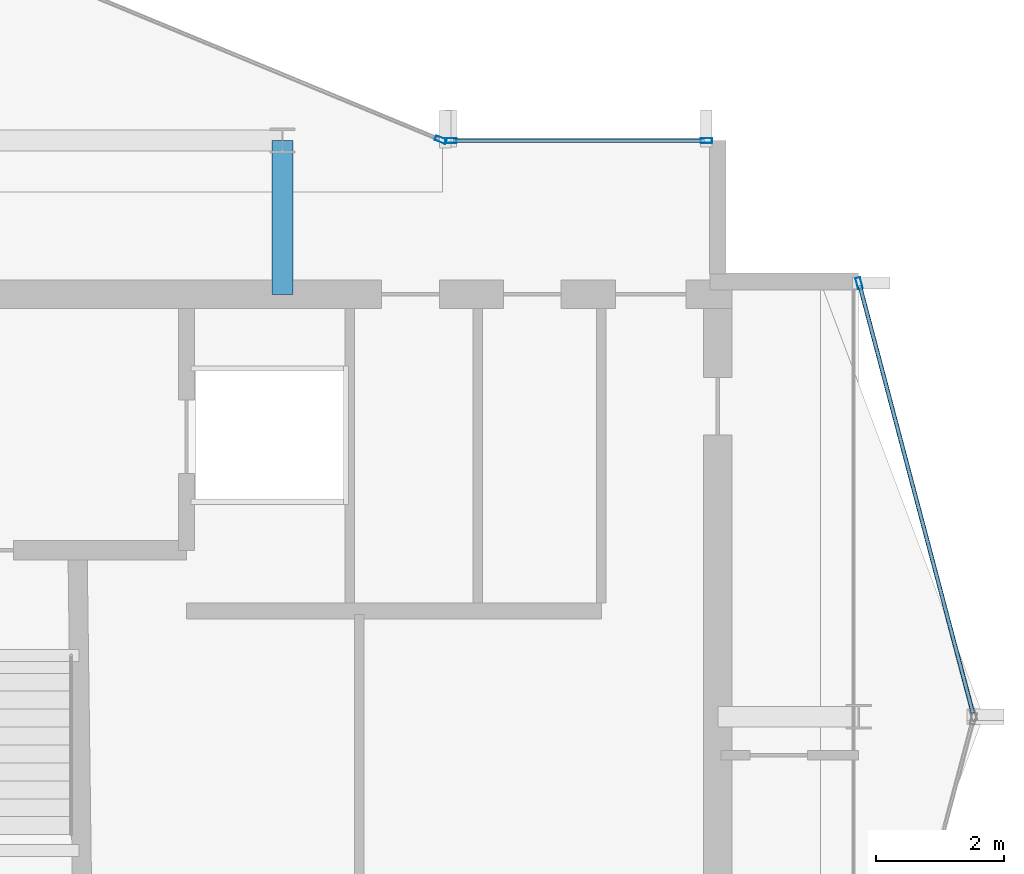
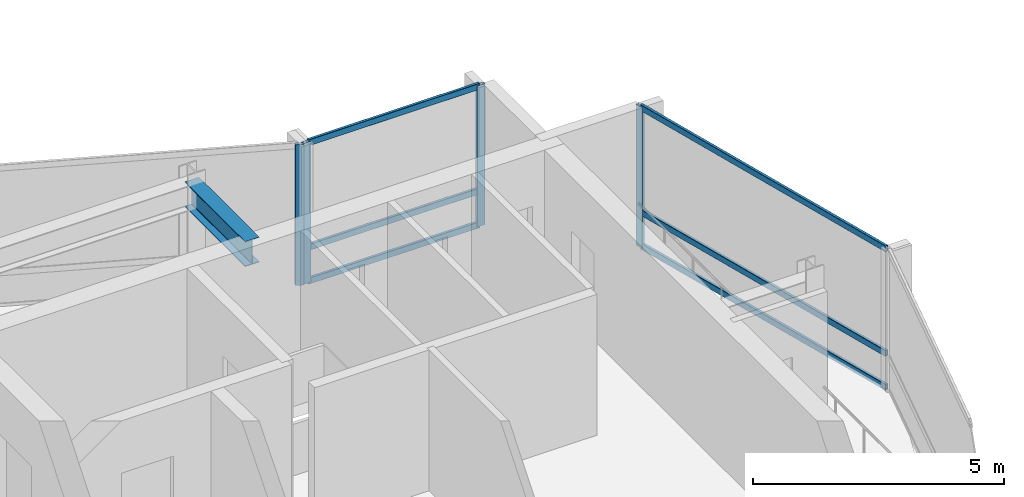
# One storey, part 10 of 19: 10 members, 1 beam, 3 elements without a shape of their own.
"""IFC4 building model written with IfcOpenShell, lengths in metres."""

from ifc_helpers import new_model, si_unit, direction, frame, origin, origin_2d, place, context, subcontext, project, spatial, hollow_rectangle, i_section, extrude, material, layer, layer_set, material_profile, profile_set, type_object, element, aggregate, save


model = new_model("IFC4")

# Units and contexts
model_context = context("Model", 3, precision=1e-05, world=origin(), true_north=direction((0.0, 1.0)))
body_context = subcontext(model_context, "Body", "Model", "MODEL_VIEW")
ifc_project = project(units=[si_unit("LENGTHUNIT", "METRE"), si_unit("AREAUNIT", "SQUARE_METRE"), si_unit("VOLUMEUNIT", "CUBIC_METRE"), si_unit("PLANEANGLEUNIT", "RADIAN"), si_unit("MASSUNIT", "GRAM", prefix="KILO")], contexts=[model_context])

# Site, building, storey
site_placement = place(None, origin())
site = spatial("IfcSite", under=ifc_project, at=site_placement, CompositionType="ELEMENT")
building_placement = place(site_placement, origin())
building = spatial("IfcBuilding", under=site, at=building_placement, Name="Solvaryn Broadcast Tower", CompositionType="ELEMENT")
storey_placement = place(building_placement, frame((0.0, 0.0, 248.199951171875)))
storey = spatial("IfcBuildingStorey", under=building, at=storey_placement, Name="L62", CompositionType="ELEMENT", Elevation=248.199951171875)

# Beam
ifc_material_1 = material(Name="Steel ASTM A992 Grade 50", Category="steel")
ifc_material_profile_1 = material_profile(ifc_material_1, i_section(OverallWidth=0.323974609375, OverallDepth=0.611083984375, WebThickness=0.0126953125, FlangeThickness=0.01904296875, FilletRadius=0.014892578125, at=origin_2d()))
ifc_profile_set_1 = profile_set([ifc_material_profile_1], Name="Steel ASTM A992 Grade 50")
beam_type = type_object("IfcBeamType", Name="BM-B1-W24X104", PredefinedType="BEAM", material=ifc_profile_set_1)
beam_placement = place(storey_placement, frame((36.0, 24.60009765625, 3.114501953125), z_axis=(0.0, 1.0, 0.0), x_axis=(-1.0, 0.0, 0.0)))
element("IfcBeam", 1, at=beam_placement, inside=storey, type_object=beam_type, Name="L62 Core Tie Beam CTE2", PredefinedType="BEAM", context=body_context, shape_type="SweptSolid", body=[
    extrude(i_section(OverallWidth=0.323974609375, OverallDepth=0.611083984375, WebThickness=0.0126953125, FlangeThickness=0.01904296875, FilletRadius=0.014892578125, at=origin_2d()), origin(), (0.0, 0.0, 1.0), 2.39990234375),
])

# Curtain wall, member
ifc_material_2 = material(Name="Aluminium and Terracotta Unitised Curtain Wall", Category="masonry")
ifc_layer = layer(ifc_material_2, 0.199951171875)
ifc_layer_set = layer_set([ifc_layer], Name="CW-SYS2-LOWMID")
curtain_wall_type = type_object("IfcCurtainWallType", Name="CW-SYS2-LOWMID", PredefinedType="NOTDEFINED", material=ifc_layer_set)
curtain_wall_1_placement = place(storey_placement, origin())
curtain_wall_1 = element("IfcCurtainWall", 2, at=curtain_wall_1_placement, inside=storey, type_object=curtain_wall_type, Name="L62 Curtain Wall CN1", PredefinedType="NOTDEFINED")
ifc_material_3 = material(Name="Anodised Aluminium 6063-T6", Category="aluminium")
ifc_material_profile_2 = material_profile(ifc_material_3, hollow_rectangle(XDim=0.074951171875, YDim=0.179931640625, WallThickness=0.00390625, InnerFilletRadius=0.00390625, OuterFilletRadius=0.008056640625, at=origin_2d()))
ifc_profile_set_2 = profile_set([ifc_material_profile_2], Name="Anodised Aluminium 6063-T6")
member_type_1 = type_object("IfcMemberType", Name="CW-MUL-180", PredefinedType="MULLION", material=ifc_profile_set_2)
member_1_placement = place(storey_placement, frame((38.47216796875, 27.011474609375, 0.0), z_axis=(0.0, 0.0, 1.0), x_axis=(-0.382646127145, -0.923894983957, 0.0)))
member_1 = element("IfcMember", 3, at=member_1_placement, type_object=member_type_1, Name="CWS2 mullion 1", PredefinedType="MULLION", context=body_context, shape_type="SweptSolid", body=[
    extrude(hollow_rectangle(XDim=0.074951171875, YDim=0.179931640625, WallThickness=0.00390625, InnerFilletRadius=0.00390625, OuterFilletRadius=0.008056640625, at=origin_2d()), origin(), (0.0, 0.0, 1.0), 3.420166015625),
])
aggregate(curtain_wall_1, [member_1])

curtain_wall_2_placement = place(storey_placement, origin())
curtain_wall_2 = element("IfcCurtainWall", 4, at=curtain_wall_2_placement, inside=storey, type_object=curtain_wall_type, Name="L62 Curtain Wall ET1", PredefinedType="NOTDEFINED")
member_2_placement = place(storey_placement, frame((45.007568359375, 24.77099609375, 0.0), z_axis=(0.0, 0.0, 1.0), x_axis=(0.966705227863, 0.25589256031, 0.0)))
member_2 = element("IfcMember", 5, at=member_2_placement, type_object=member_type_1, Name="CWS2 mullion 1", PredefinedType="MULLION", context=body_context, shape_type="SweptSolid", body=[
    extrude(hollow_rectangle(XDim=0.074951171875, YDim=0.179931640625, WallThickness=0.00390625, InnerFilletRadius=0.00390625, OuterFilletRadius=0.008056640625, at=origin_2d()), origin(), (0.0, 0.0, 1.0), 3.420166015625),
])

# Curtain wall, members
curtain_wall_3_placement = place(storey_placement, origin())
curtain_wall_3 = element("IfcCurtainWall", 6, at=curtain_wall_3_placement, inside=storey, type_object=curtain_wall_type, Name="L62 Curtain Wall IH", PredefinedType="NOTDEFINED")
member_3_placement = place(storey_placement, frame((38.6298828125, 27.0, 0.0), z_axis=(0.0, 0.0, 1.0), x_axis=(0.0, 1.0, 0.0)))
member_3 = element("IfcMember", 7, at=member_3_placement, type_object=member_type_1, Name="CWS2 mullion 1", PredefinedType="MULLION", context=body_context, shape_type="SweptSolid", body=[
    extrude(hollow_rectangle(XDim=0.074951171875, YDim=0.179931640625, WallThickness=0.00390625, InnerFilletRadius=0.00390625, OuterFilletRadius=0.008056640625, at=origin_2d()), origin(), (0.0, 0.0, 1.0), 3.420166015625),
])
member_4_placement = place(storey_placement, frame((42.6201171875, 27.0, 0.0), z_axis=(0.0, 0.0, 1.0), x_axis=(0.0, 1.0, 0.0)))
member_4 = element("IfcMember", 8, at=member_4_placement, type_object=member_type_1, Name="CWS2 mullion 2", PredefinedType="MULLION", context=body_context, shape_type="SweptSolid", body=[
    extrude(hollow_rectangle(XDim=0.074951171875, YDim=0.179931640625, WallThickness=0.00390625, InnerFilletRadius=0.00390625, OuterFilletRadius=0.008056640625, at=origin_2d()), origin(), (0.0, 0.0, 1.0), 3.420166015625),
])

# Member
ifc_material_4 = material(Name="Anodised Aluminium 6063-T6", Category="aluminium")
ifc_material_profile_3 = material_profile(ifc_material_4, hollow_rectangle(XDim=0.06494140625, YDim=0.14990234375, WallThickness=0.00390625, InnerFilletRadius=0.00390625, OuterFilletRadius=0.008056640625, at=origin_2d()))
ifc_profile_set_3 = profile_set([ifc_material_profile_3], Name="Anodised Aluminium 6063-T6")
member_type_2 = type_object("IfcMemberType", Name="CW-TRN-150", PredefinedType="USERDEFINED", material=ifc_profile_set_3)
member_5_placement = place(storey_placement, frame((45.015380859375, 24.741943359375, 0.030029296875), z_axis=(0.255897413051, -0.966703943301, 0.0), x_axis=(0.966703943301, 0.255897413051, 0.0)))
member_5 = element("IfcMember", 9, at=member_5_placement, type_object=member_type_2, Name="CWS2 transom 1.1", ObjectType="TRANSOM", PredefinedType="USERDEFINED", context=body_context, shape_type="SweptSolid", body=[
    extrude(hollow_rectangle(XDim=0.06494140625, YDim=0.14990234375, WallThickness=0.00390625, InnerFilletRadius=0.00390625, OuterFilletRadius=0.008056640625, at=origin_2d()), origin(), (0.0, 0.0, 1.0), 6.9140625),
])

member_6_placement = place(storey_placement, frame((45.015380859375, 24.741943359375, 0.85009765625), z_axis=(0.255897413051, -0.966703943301, 0.0), x_axis=(0.966703943301, 0.255897413051, 0.0)))
member_6 = element("IfcMember", 10, at=member_6_placement, type_object=member_type_2, Name="CWS2 transom 1.2", ObjectType="TRANSOM", PredefinedType="USERDEFINED", context=body_context, shape_type="SweptSolid", body=[
    extrude(hollow_rectangle(XDim=0.06494140625, YDim=0.14990234375, WallThickness=0.00390625, InnerFilletRadius=0.00390625, OuterFilletRadius=0.008056640625, at=origin_2d()), origin(), (0.0, 0.0, 1.0), 6.9140625),
])

member_7_placement = place(storey_placement, frame((45.015380859375, 24.741943359375, 3.39013671875), z_axis=(0.255897413051, -0.966703943301, 0.0), x_axis=(0.966703943301, 0.255897413051, 0.0)))
member_7 = element("IfcMember", 11, at=member_7_placement, type_object=member_type_2, Name="CWS2 transom 1.3", ObjectType="TRANSOM", PredefinedType="USERDEFINED", context=body_context, shape_type="SweptSolid", body=[
    extrude(hollow_rectangle(XDim=0.06494140625, YDim=0.14990234375, WallThickness=0.00390625, InnerFilletRadius=0.00390625, OuterFilletRadius=0.008056640625, at=origin_2d()), origin(), (0.0, 0.0, 1.0), 6.9140625),
])

aggregate(curtain_wall_2, [member_2, member_5, member_6, member_7])

member_8_placement = place(storey_placement, frame((38.659912109375, 27.0, 0.030029296875), z_axis=(1.0, 0.0, 0.0), x_axis=(0.0, 1.0, 0.0)))
member_8 = element("IfcMember", 12, at=member_8_placement, type_object=member_type_2, Name="CWS2 transom 1.1", ObjectType="TRANSOM", PredefinedType="USERDEFINED", context=body_context, shape_type="SweptSolid", body=[
    extrude(hollow_rectangle(XDim=0.06494140625, YDim=0.14990234375, WallThickness=0.00390625, InnerFilletRadius=0.00390625, OuterFilletRadius=0.008056640625, at=origin_2d()), origin(), (0.0, 0.0, 1.0), 3.93017578125),
])

member_9_placement = place(storey_placement, frame((38.659912109375, 27.0, 0.85009765625), z_axis=(1.0, 0.0, 0.0), x_axis=(0.0, 1.0, 0.0)))
member_9 = element("IfcMember", 13, at=member_9_placement, type_object=member_type_2, Name="CWS2 transom 1.2", ObjectType="TRANSOM", PredefinedType="USERDEFINED", context=body_context, shape_type="SweptSolid", body=[
    extrude(hollow_rectangle(XDim=0.06494140625, YDim=0.14990234375, WallThickness=0.00390625, InnerFilletRadius=0.00390625, OuterFilletRadius=0.008056640625, at=origin_2d()), origin(), (0.0, 0.0, 1.0), 3.93017578125),
])

member_10_placement = place(storey_placement, frame((38.659912109375, 27.0, 3.39013671875), z_axis=(1.0, 0.0, 0.0), x_axis=(0.0, 1.0, 0.0)))
member_10 = element("IfcMember", 14, at=member_10_placement, type_object=member_type_2, Name="CWS2 transom 1.3", ObjectType="TRANSOM", PredefinedType="USERDEFINED", context=body_context, shape_type="SweptSolid", body=[
    extrude(hollow_rectangle(XDim=0.06494140625, YDim=0.14990234375, WallThickness=0.00390625, InnerFilletRadius=0.00390625, OuterFilletRadius=0.008056640625, at=origin_2d()), origin(), (0.0, 0.0, 1.0), 3.93017578125),
])

aggregate(curtain_wall_3, [member_3, member_4, member_8, member_9, member_10])

save(model, "model.ifc")
